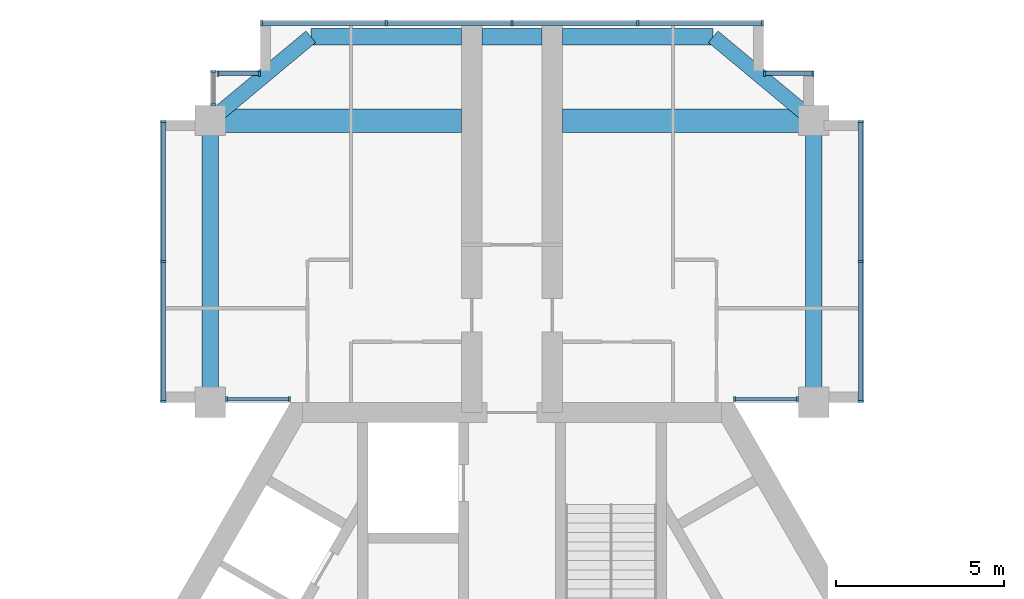
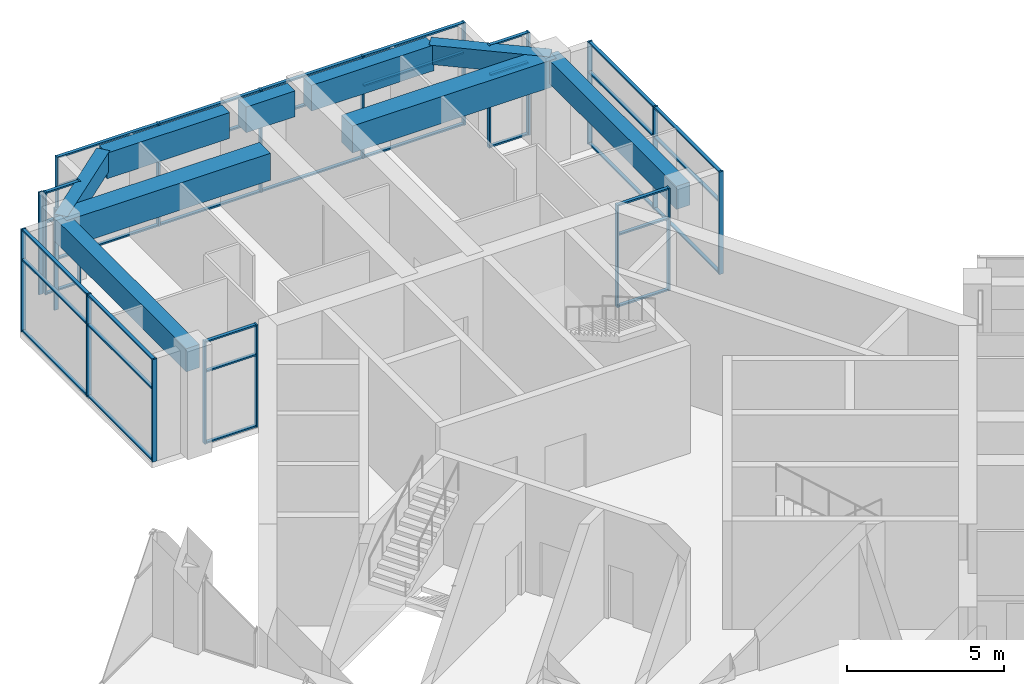
# One storey, part 6 of 13: 57 members, 9 beams, 8 elements without a shape of their own.
"""IFC4 building model written with IfcOpenShell, lengths in metres."""

from ifc_helpers import new_model, si_unit, direction, frame, origin, origin_2d, place, context, subcontext, project, spatial, rectangle, extrude, material, material_profile, profile_set, type_object, element, aggregate, save


model = new_model("IFC4")

# Units and contexts
model_context = context("Model", 3, precision=1e-05, world=origin(), true_north=direction((0.0, 1.0)))
body_context = subcontext(model_context, "Body", "Model", "MODEL_VIEW")
ifc_project = project(units=[si_unit("LENGTHUNIT", "METRE"), si_unit("AREAUNIT", "SQUARE_METRE"), si_unit("VOLUMEUNIT", "CUBIC_METRE"), si_unit("PLANEANGLEUNIT", "RADIAN"), si_unit("MASSUNIT", "GRAM", prefix="KILO")], contexts=[model_context])

# Site, building, storey
site_placement = place(None, origin())
site = spatial("IfcSite", under=ifc_project, at=site_placement, CompositionType="ELEMENT")
building_placement = place(site_placement, origin())
building = spatial("IfcBuilding", under=site, at=building_placement, Name="Impinga Residences", CompositionType="ELEMENT")
storey_placement = place(building_placement, frame((0.0, 0.0, 287.35009765625)))
storey = spatial("IfcBuildingStorey", under=building, at=storey_placement, Name="L72", CompositionType="ELEMENT", Elevation=287.35009765625)

# Beams
ifc_material_1 = material(Name="Concrete C60/75", Category="concrete")
ifc_material_profile_1 = material_profile(ifc_material_1, rectangle(XDim=0.449951171875, YDim=0.75, at=origin_2d()), Name="RC 450x750")
ifc_profile_set_1 = profile_set([ifc_material_profile_1], Name="Concrete C60/75")
beam_type_1 = type_object("IfcBeamType", Name="CB1 450x750 wing end cantilever beam", PredefinedType="BEAM", material=ifc_profile_set_1)
for number, where, z_axis, x_axis, name in (
    (1, (-9.0, 19.83154296875, 3.60498046875), (0.768221279597, 0.640184399664, 0.0), (-0.640184399664, 0.768221279597, 0.0), "Beam CB1 NB N2-NX level L73"),
    (2, (9.0, 19.83154296875, 3.60498046875), (-0.768221279597, 0.640184399664, 0.0), (-0.640184399664, -0.768221279597, 0.0), "Beam CB1 NE N2-NX level L73"),
):
    element("IfcBeam", number, at=place(storey_placement, frame(where, z_axis=z_axis, x_axis=x_axis)), inside=storey, type_object=beam_type_1, Name=name, PredefinedType="BEAM", context=body_context, shape_type="SweptSolid", body=[
        extrude(rectangle(XDim=0.449951171875, YDim=0.75, at=origin_2d()), origin(), (0.0, 0.0, 1.0), 3.905029296875),
    ])
ifc_material_profile_2 = material_profile(ifc_material_1, rectangle(XDim=0.699951171875, YDim=1.050048828125, at=origin_2d()), Name="RC 700x1050")
ifc_profile_set_2 = profile_set([ifc_material_profile_2], Name="Concrete C60/75")
beam_type_2 = type_object("IfcBeamType", Name="CG1 700x1050 cross girder on a wing bay line", PredefinedType="BEAM", material=ifc_profile_set_2)
for number, where, z_axis, x_axis, name in (
    (3, (-1.5, 19.83154296875, 3.454833984375), (-1.0, 0.0, 0.0), (0.0, -1.0, 0.0), "Beam CG1 N2 NC/NA level L73"),
    (4, (1.5, 19.83154296875, 3.454833984375), (1.0, 0.0, 0.0), (0.0, 1.0, 0.0), "Beam CG1 N2 NC/NF level L73"),
):
    element("IfcBeam", number, at=place(storey_placement, frame(where, z_axis=z_axis, x_axis=x_axis)), inside=storey, type_object=beam_type_2, Name=name, PredefinedType="BEAM", context=body_context, shape_type="SweptSolid", body=[
        extrude(rectangle(XDim=0.699951171875, YDim=1.050048828125, at=origin_2d()), origin(), (0.0, 0.0, 1.0), 7.5),
    ])

# Curtain wall, members
ifc_material_2 = material(Name="Aluminium stick curtain wall", Category="aluminium")
curtain_wall_type = type_object("IfcCurtainWallType", Name="CW3 penthouse curtain wall", PredefinedType="USERDEFINED", material=ifc_material_2)
curtain_wall_1_placement = place(storey_placement, origin())
curtain_wall_1 = element("IfcCurtainWall", 5, at=curtain_wall_1_placement, inside=storey, type_object=curtain_wall_type, Name="Curtain wall CW3 L72", ObjectType="STICK CURTAIN WALL", PredefinedType="USERDEFINED")
ifc_material_3 = material(Name="Aluminium mullion", Category="aluminium")
ifc_material_profile_3 = material_profile(ifc_material_3, rectangle(XDim=0.06005859375, YDim=0.159912109375, at=origin_2d()), Name="60x160 mullion")
ifc_profile_set_3 = profile_set([ifc_material_profile_3], Name="Aluminium mullion")
member_type_1 = type_object("IfcMemberType", Name="CW3-M mullion 60x160", PredefinedType="MULLION", material=ifc_profile_set_3)
member_1_placement = place(storey_placement, frame((-6.6298828125, 11.531494140625, 0.0), z_axis=(0.0, 0.0, 1.0), x_axis=(-1.0, 0.0, 0.0)))
member_1 = element("IfcMember", 6, at=member_1_placement, type_object=member_type_1, Name="CW3 mullion 1", PredefinedType="MULLION", context=body_context, shape_type="SweptSolid", body=[
    extrude(rectangle(XDim=0.06005859375, YDim=0.159912109375, at=origin_2d()), origin(), (0.0, 0.0, 1.0), 3.97998046875),
])
member_2_placement = place(storey_placement, frame((-8.51708984375, 11.531494140625, 0.0), z_axis=(0.0, 0.0, 1.0), x_axis=(-1.0, 0.0, 0.0)))
member_2 = element("IfcMember", 7, at=member_2_placement, type_object=member_type_1, Name="CW3 mullion 2", PredefinedType="MULLION", context=body_context, shape_type="SweptSolid", body=[
    extrude(rectangle(XDim=0.06005859375, YDim=0.159912109375, at=origin_2d()), origin(), (0.0, 0.0, 1.0), 3.97998046875),
])

curtain_wall_2_placement = place(storey_placement, origin())
curtain_wall_2 = element("IfcCurtainWall", 8, at=curtain_wall_2_placement, inside=storey, type_object=curtain_wall_type, Name="Curtain wall CW3 L72", ObjectType="STICK CURTAIN WALL", PredefinedType="USERDEFINED")
member_3_placement = place(storey_placement, frame((-10.39990234375, 11.46142578125, 0.0), z_axis=(0.0, 0.0, 1.0), x_axis=(0.0, 1.0, 0.0)))
member_3 = element("IfcMember", 9, at=member_3_placement, type_object=member_type_1, Name="CW3 mullion 1", PredefinedType="MULLION", context=body_context, shape_type="SweptSolid", body=[
    extrude(rectangle(XDim=0.06005859375, YDim=0.159912109375, at=origin_2d()), origin(), (0.0, 0.0, 1.0), 3.97998046875),
])
member_4_placement = place(storey_placement, frame((-10.39990234375, 15.631591796875, 0.0), z_axis=(0.0, 0.0, 1.0), x_axis=(0.0, 1.0, 0.0)))
member_4 = element("IfcMember", 10, at=member_4_placement, type_object=member_type_1, Name="CW3 mullion 2", PredefinedType="MULLION", context=body_context, shape_type="SweptSolid", body=[
    extrude(rectangle(XDim=0.06005859375, YDim=0.159912109375, at=origin_2d()), origin(), (0.0, 0.0, 1.0), 3.97998046875),
])
member_5_placement = place(storey_placement, frame((-10.39990234375, 19.801513671875, 0.0), z_axis=(0.0, 0.0, 1.0), x_axis=(0.0, 1.0, 0.0)))
member_5 = element("IfcMember", 11, at=member_5_placement, type_object=member_type_1, Name="CW3 mullion 3", PredefinedType="MULLION", context=body_context, shape_type="SweptSolid", body=[
    extrude(rectangle(XDim=0.06005859375, YDim=0.159912109375, at=origin_2d()), origin(), (0.0, 0.0, 1.0), 3.97998046875),
])

curtain_wall_3_placement = place(storey_placement, origin())
curtain_wall_3 = element("IfcCurtainWall", 12, at=curtain_wall_3_placement, inside=storey, type_object=curtain_wall_type, Name="Curtain wall CW3 L72", ObjectType="STICK CURTAIN WALL", PredefinedType="USERDEFINED")
member_6_placement = place(storey_placement, frame((-8.89990234375, 20.314453125, 0.0), z_axis=(0.0, 0.0, 1.0), x_axis=(0.0, 1.0, 0.0)))
member_6 = element("IfcMember", 13, at=member_6_placement, type_object=member_type_1, Name="CW3 mullion 1", PredefinedType="MULLION", context=body_context, shape_type="SweptSolid", body=[
    extrude(rectangle(XDim=0.06005859375, YDim=0.159912109375, at=origin_2d()), origin(), (0.0, 0.0, 1.0), 3.97998046875),
])
member_7_placement = place(storey_placement, frame((-8.89990234375, 21.301513671875, 0.0), z_axis=(0.0, 0.0, 1.0), x_axis=(0.0, 1.0, 0.0)))
member_7 = element("IfcMember", 14, at=member_7_placement, type_object=member_type_1, Name="CW3 mullion 2", PredefinedType="MULLION", context=body_context, shape_type="SweptSolid", body=[
    extrude(rectangle(XDim=0.06005859375, YDim=0.159912109375, at=origin_2d()), origin(), (0.0, 0.0, 1.0), 3.97998046875),
])
aggregate(curtain_wall_3, [member_6, member_7])

curtain_wall_4_placement = place(storey_placement, origin())
curtain_wall_4 = element("IfcCurtainWall", 15, at=curtain_wall_4_placement, inside=storey, type_object=curtain_wall_type, Name="Curtain wall CW3 L72", ObjectType="STICK CURTAIN WALL", PredefinedType="USERDEFINED")
member_8_placement = place(storey_placement, frame((-8.77001953125, 21.2314453125, 0.0), z_axis=(0.0, 0.0, 1.0), x_axis=(1.0, 0.0, 0.0)))
member_8 = element("IfcMember", 16, at=member_8_placement, type_object=member_type_1, Name="CW3 mullion 1", PredefinedType="MULLION", context=body_context, shape_type="SweptSolid", body=[
    extrude(rectangle(XDim=0.06005859375, YDim=0.159912109375, at=origin_2d()), origin(), (0.0, 0.0, 1.0), 3.97998046875),
])
member_9_placement = place(storey_placement, frame((-7.530029296875, 21.2314453125, 0.0), z_axis=(0.0, 0.0, 1.0), x_axis=(1.0, 0.0, 0.0)))
member_9 = element("IfcMember", 17, at=member_9_placement, type_object=member_type_1, Name="CW3 mullion 2", PredefinedType="MULLION", context=body_context, shape_type="SweptSolid", body=[
    extrude(rectangle(XDim=0.06005859375, YDim=0.159912109375, at=origin_2d()), origin(), (0.0, 0.0, 1.0), 3.97998046875),
])

curtain_wall_5_placement = place(storey_placement, origin())
curtain_wall_5 = element("IfcCurtainWall", 18, at=curtain_wall_5_placement, inside=storey, type_object=curtain_wall_type, Name="Curtain wall CW3 L72", ObjectType="STICK CURTAIN WALL", PredefinedType="USERDEFINED")
member_10_placement = place(storey_placement, frame((-7.469970703125, 22.7314453125, 0.0), z_axis=(0.0, 0.0, 1.0), x_axis=(1.0, 0.0, 0.0)))
member_10 = element("IfcMember", 19, at=member_10_placement, type_object=member_type_1, Name="CW3 mullion 1", PredefinedType="MULLION", context=body_context, shape_type="SweptSolid", body=[
    extrude(rectangle(XDim=0.06005859375, YDim=0.159912109375, at=origin_2d()), origin(), (0.0, 0.0, 1.0), 3.97998046875),
])
member_11_placement = place(storey_placement, frame((-3.75, 22.7314453125, 0.0), z_axis=(0.0, 0.0, 1.0), x_axis=(1.0, 0.0, 0.0)))
member_11 = element("IfcMember", 20, at=member_11_placement, type_object=member_type_1, Name="CW3 mullion 2", PredefinedType="MULLION", context=body_context, shape_type="SweptSolid", body=[
    extrude(rectangle(XDim=0.06005859375, YDim=0.159912109375, at=origin_2d()), origin(), (0.0, 0.0, 1.0), 3.97998046875),
])
member_12_placement = place(storey_placement, frame((0.0, 22.7314453125, 0.0), z_axis=(0.0, 0.0, 1.0), x_axis=(1.0, 0.0, 0.0)))
member_12 = element("IfcMember", 21, at=member_12_placement, type_object=member_type_1, Name="CW3 mullion 3", PredefinedType="MULLION", context=body_context, shape_type="SweptSolid", body=[
    extrude(rectangle(XDim=0.06005859375, YDim=0.159912109375, at=origin_2d()), origin(), (0.0, 0.0, 1.0), 3.97998046875),
])
member_13_placement = place(storey_placement, frame((3.75, 22.7314453125, 0.0), z_axis=(0.0, 0.0, 1.0), x_axis=(1.0, 0.0, 0.0)))
member_13 = element("IfcMember", 22, at=member_13_placement, type_object=member_type_1, Name="CW3 mullion 4", PredefinedType="MULLION", context=body_context, shape_type="SweptSolid", body=[
    extrude(rectangle(XDim=0.06005859375, YDim=0.159912109375, at=origin_2d()), origin(), (0.0, 0.0, 1.0), 3.97998046875),
])
member_14_placement = place(storey_placement, frame((7.469970703125, 22.7314453125, 0.0), z_axis=(0.0, 0.0, 1.0), x_axis=(1.0, 0.0, 0.0)))
member_14 = element("IfcMember", 23, at=member_14_placement, type_object=member_type_1, Name="CW3 mullion 5", PredefinedType="MULLION", context=body_context, shape_type="SweptSolid", body=[
    extrude(rectangle(XDim=0.06005859375, YDim=0.159912109375, at=origin_2d()), origin(), (0.0, 0.0, 1.0), 3.97998046875),
])

curtain_wall_6_placement = place(storey_placement, origin())
curtain_wall_6 = element("IfcCurtainWall", 24, at=curtain_wall_6_placement, inside=storey, type_object=curtain_wall_type, Name="Curtain wall CW3 L72", ObjectType="STICK CURTAIN WALL", PredefinedType="USERDEFINED")
member_15_placement = place(storey_placement, frame((7.530029296875, 21.2314453125, 0.0), z_axis=(0.0, 0.0, 1.0), x_axis=(1.0, 0.0, 0.0)))
member_15 = element("IfcMember", 25, at=member_15_placement, type_object=member_type_1, Name="CW3 mullion 1", PredefinedType="MULLION", context=body_context, shape_type="SweptSolid", body=[
    extrude(rectangle(XDim=0.06005859375, YDim=0.159912109375, at=origin_2d()), origin(), (0.0, 0.0, 1.0), 3.97998046875),
])
member_16_placement = place(storey_placement, frame((8.969970703125, 21.2314453125, 0.0), z_axis=(0.0, 0.0, 1.0), x_axis=(1.0, 0.0, 0.0)))
member_16 = element("IfcMember", 26, at=member_16_placement, type_object=member_type_1, Name="CW3 mullion 2", PredefinedType="MULLION", context=body_context, shape_type="SweptSolid", body=[
    extrude(rectangle(XDim=0.06005859375, YDim=0.159912109375, at=origin_2d()), origin(), (0.0, 0.0, 1.0), 3.97998046875),
])

curtain_wall_7_placement = place(storey_placement, origin())
curtain_wall_7 = element("IfcCurtainWall", 27, at=curtain_wall_7_placement, inside=storey, type_object=curtain_wall_type, Name="Curtain wall CW3 L72", ObjectType="STICK CURTAIN WALL", PredefinedType="USERDEFINED")
member_17_placement = place(storey_placement, frame((10.39990234375, 19.801513671875, 0.0), z_axis=(0.0, 0.0, 1.0), x_axis=(0.0, -1.0, 0.0)))
member_17 = element("IfcMember", 28, at=member_17_placement, type_object=member_type_1, Name="CW3 mullion 1", PredefinedType="MULLION", context=body_context, shape_type="SweptSolid", body=[
    extrude(rectangle(XDim=0.06005859375, YDim=0.159912109375, at=origin_2d()), origin(), (0.0, 0.0, 1.0), 3.97998046875),
])
member_18_placement = place(storey_placement, frame((10.39990234375, 15.631591796875, 0.0), z_axis=(0.0, 0.0, 1.0), x_axis=(0.0, -1.0, 0.0)))
member_18 = element("IfcMember", 29, at=member_18_placement, type_object=member_type_1, Name="CW3 mullion 2", PredefinedType="MULLION", context=body_context, shape_type="SweptSolid", body=[
    extrude(rectangle(XDim=0.06005859375, YDim=0.159912109375, at=origin_2d()), origin(), (0.0, 0.0, 1.0), 3.97998046875),
])
member_19_placement = place(storey_placement, frame((10.39990234375, 11.46142578125, 0.0), z_axis=(0.0, 0.0, 1.0), x_axis=(0.0, -1.0, 0.0)))
member_19 = element("IfcMember", 30, at=member_19_placement, type_object=member_type_1, Name="CW3 mullion 3", PredefinedType="MULLION", context=body_context, shape_type="SweptSolid", body=[
    extrude(rectangle(XDim=0.06005859375, YDim=0.159912109375, at=origin_2d()), origin(), (0.0, 0.0, 1.0), 3.97998046875),
])

curtain_wall_8_placement = place(storey_placement, origin())
curtain_wall_8 = element("IfcCurtainWall", 31, at=curtain_wall_8_placement, inside=storey, type_object=curtain_wall_type, Name="Curtain wall CW3 L72", ObjectType="STICK CURTAIN WALL", PredefinedType="USERDEFINED")
member_20_placement = place(storey_placement, frame((8.51708984375, 11.531494140625, 0.0), z_axis=(0.0, 0.0, 1.0), x_axis=(-1.0, 0.0, 0.0)))
member_20 = element("IfcMember", 32, at=member_20_placement, type_object=member_type_1, Name="CW3 mullion 1", PredefinedType="MULLION", context=body_context, shape_type="SweptSolid", body=[
    extrude(rectangle(XDim=0.06005859375, YDim=0.159912109375, at=origin_2d()), origin(), (0.0, 0.0, 1.0), 3.97998046875),
])
member_21_placement = place(storey_placement, frame((6.6298828125, 11.531494140625, 0.0), z_axis=(0.0, 0.0, 1.0), x_axis=(-1.0, 0.0, 0.0)))
member_21 = element("IfcMember", 33, at=member_21_placement, type_object=member_type_1, Name="CW3 mullion 2", PredefinedType="MULLION", context=body_context, shape_type="SweptSolid", body=[
    extrude(rectangle(XDim=0.06005859375, YDim=0.159912109375, at=origin_2d()), origin(), (0.0, 0.0, 1.0), 3.97998046875),
])

# Member
ifc_material_4 = material(Name="Aluminium transom", Category="aluminium")
ifc_material_profile_4 = material_profile(ifc_material_4, rectangle(XDim=0.06005859375, YDim=0.1201171875, at=origin_2d()), Name="60x120 transom")
ifc_profile_set_4 = profile_set([ifc_material_profile_4], Name="Aluminium transom")
member_type_2 = type_object("IfcMemberType", Name="CW3-T transom 60x120", PredefinedType="USERDEFINED", material=ifc_profile_set_4)
member_22_placement = place(storey_placement, frame((-6.659912109375, 11.531494140625, 0.02978515625), z_axis=(-1.0, 0.0, 0.0), x_axis=(0.0, 0.0, 1.0)))
member_22 = element("IfcMember", 34, at=member_22_placement, type_object=member_type_2, Name="CW3 transom 1.1", ObjectType="TRANSOM", PredefinedType="USERDEFINED", context=body_context, shape_type="SweptSolid", body=[
    extrude(rectangle(XDim=0.06005859375, YDim=0.1201171875, at=origin_2d()), origin(), (0.0, 0.0, 1.0), 1.8271484375),
])

member_23_placement = place(storey_placement, frame((-6.659912109375, 11.531494140625, 2.7998046875), z_axis=(-1.0, 0.0, 0.0), x_axis=(0.0, 0.0, 1.0)))
member_23 = element("IfcMember", 35, at=member_23_placement, type_object=member_type_2, Name="CW3 transom 1.2", ObjectType="TRANSOM", PredefinedType="USERDEFINED", context=body_context, shape_type="SweptSolid", body=[
    extrude(rectangle(XDim=0.06005859375, YDim=0.1201171875, at=origin_2d()), origin(), (0.0, 0.0, 1.0), 1.8271484375),
])

member_24_placement = place(storey_placement, frame((-6.659912109375, 11.531494140625, 3.949951171875), z_axis=(-1.0, 0.0, 0.0), x_axis=(0.0, 0.0, 1.0)))
member_24 = element("IfcMember", 36, at=member_24_placement, type_object=member_type_2, Name="CW3 transom 1.3", ObjectType="TRANSOM", PredefinedType="USERDEFINED", context=body_context, shape_type="SweptSolid", body=[
    extrude(rectangle(XDim=0.06005859375, YDim=0.1201171875, at=origin_2d()), origin(), (0.0, 0.0, 1.0), 1.8271484375),
])

aggregate(curtain_wall_1, [member_1, member_2, member_22, member_23, member_24])

member_25_placement = place(storey_placement, frame((-10.39990234375, 11.491455078125, 0.02978515625), z_axis=(0.0, 1.0, 0.0), x_axis=(0.0, 0.0, 1.0)))
member_25 = element("IfcMember", 37, at=member_25_placement, type_object=member_type_2, Name="CW3 transom 1.1", ObjectType="TRANSOM", PredefinedType="USERDEFINED", context=body_context, shape_type="SweptSolid", body=[
    extrude(rectangle(XDim=0.06005859375, YDim=0.1201171875, at=origin_2d()), origin(), (0.0, 0.0, 1.0), 4.110107421875),
])

member_26_placement = place(storey_placement, frame((-10.39990234375, 11.491455078125, 2.7998046875), z_axis=(0.0, 1.0, 0.0), x_axis=(0.0, 0.0, 1.0)))
member_26 = element("IfcMember", 38, at=member_26_placement, type_object=member_type_2, Name="CW3 transom 1.2", ObjectType="TRANSOM", PredefinedType="USERDEFINED", context=body_context, shape_type="SweptSolid", body=[
    extrude(rectangle(XDim=0.06005859375, YDim=0.1201171875, at=origin_2d()), origin(), (0.0, 0.0, 1.0), 4.110107421875),
])

member_27_placement = place(storey_placement, frame((-10.39990234375, 11.491455078125, 3.949951171875), z_axis=(0.0, 1.0, 0.0), x_axis=(0.0, 0.0, 1.0)))
member_27 = element("IfcMember", 39, at=member_27_placement, type_object=member_type_2, Name="CW3 transom 1.3", ObjectType="TRANSOM", PredefinedType="USERDEFINED", context=body_context, shape_type="SweptSolid", body=[
    extrude(rectangle(XDim=0.06005859375, YDim=0.1201171875, at=origin_2d()), origin(), (0.0, 0.0, 1.0), 4.110107421875),
])

member_28_placement = place(storey_placement, frame((-10.39990234375, 15.66162109375, 0.02978515625), z_axis=(0.0, 1.0, 0.0), x_axis=(0.0, 0.0, 1.0)))
member_28 = element("IfcMember", 40, at=member_28_placement, type_object=member_type_2, Name="CW3 transom 2.1", ObjectType="TRANSOM", PredefinedType="USERDEFINED", context=body_context, shape_type="SweptSolid", body=[
    extrude(rectangle(XDim=0.06005859375, YDim=0.1201171875, at=origin_2d()), origin(), (0.0, 0.0, 1.0), 4.10986328125),
])

member_29_placement = place(storey_placement, frame((-10.39990234375, 15.66162109375, 2.7998046875), z_axis=(0.0, 1.0, 0.0), x_axis=(0.0, 0.0, 1.0)))
member_29 = element("IfcMember", 41, at=member_29_placement, type_object=member_type_2, Name="CW3 transom 2.2", ObjectType="TRANSOM", PredefinedType="USERDEFINED", context=body_context, shape_type="SweptSolid", body=[
    extrude(rectangle(XDim=0.06005859375, YDim=0.1201171875, at=origin_2d()), origin(), (0.0, 0.0, 1.0), 4.10986328125),
])

member_30_placement = place(storey_placement, frame((-10.39990234375, 15.66162109375, 3.949951171875), z_axis=(0.0, 1.0, 0.0), x_axis=(0.0, 0.0, 1.0)))
member_30 = element("IfcMember", 42, at=member_30_placement, type_object=member_type_2, Name="CW3 transom 2.3", ObjectType="TRANSOM", PredefinedType="USERDEFINED", context=body_context, shape_type="SweptSolid", body=[
    extrude(rectangle(XDim=0.06005859375, YDim=0.1201171875, at=origin_2d()), origin(), (0.0, 0.0, 1.0), 4.10986328125),
])

aggregate(curtain_wall_2, [member_3, member_4, member_5, member_25, member_26, member_27, member_28, member_29, member_30])

member_31_placement = place(storey_placement, frame((-8.739990234375, 21.2314453125, 0.02978515625), z_axis=(1.0, 0.0, 0.0), x_axis=(0.0, 0.0, 1.0)))
member_31 = element("IfcMember", 43, at=member_31_placement, type_object=member_type_2, Name="CW3 transom 1.1", ObjectType="TRANSOM", PredefinedType="USERDEFINED", context=body_context, shape_type="SweptSolid", body=[
    extrude(rectangle(XDim=0.06005859375, YDim=0.1201171875, at=origin_2d()), origin(), (0.0, 0.0, 1.0), 1.179931640625),
])

member_32_placement = place(storey_placement, frame((-8.739990234375, 21.2314453125, 2.7998046875), z_axis=(1.0, 0.0, 0.0), x_axis=(0.0, 0.0, 1.0)))
member_32 = element("IfcMember", 44, at=member_32_placement, type_object=member_type_2, Name="CW3 transom 1.2", ObjectType="TRANSOM", PredefinedType="USERDEFINED", context=body_context, shape_type="SweptSolid", body=[
    extrude(rectangle(XDim=0.06005859375, YDim=0.1201171875, at=origin_2d()), origin(), (0.0, 0.0, 1.0), 1.179931640625),
])

member_33_placement = place(storey_placement, frame((-8.739990234375, 21.2314453125, 3.949951171875), z_axis=(1.0, 0.0, 0.0), x_axis=(0.0, 0.0, 1.0)))
member_33 = element("IfcMember", 45, at=member_33_placement, type_object=member_type_2, Name="CW3 transom 1.3", ObjectType="TRANSOM", PredefinedType="USERDEFINED", context=body_context, shape_type="SweptSolid", body=[
    extrude(rectangle(XDim=0.06005859375, YDim=0.1201171875, at=origin_2d()), origin(), (0.0, 0.0, 1.0), 1.179931640625),
])

aggregate(curtain_wall_4, [member_8, member_9, member_31, member_32, member_33])

member_34_placement = place(storey_placement, frame((-7.43994140625, 22.7314453125, 0.02978515625), z_axis=(1.0, 0.0, 0.0), x_axis=(0.0, 0.0, 1.0)))
member_34 = element("IfcMember", 46, at=member_34_placement, type_object=member_type_2, Name="CW3 transom 1.1", ObjectType="TRANSOM", PredefinedType="USERDEFINED", context=body_context, shape_type="SweptSolid", body=[
    extrude(rectangle(XDim=0.06005859375, YDim=0.1201171875, at=origin_2d()), origin(), (0.0, 0.0, 1.0), 3.659912109375),
])

member_35_placement = place(storey_placement, frame((-7.43994140625, 22.7314453125, 2.7998046875), z_axis=(1.0, 0.0, 0.0), x_axis=(0.0, 0.0, 1.0)))
member_35 = element("IfcMember", 47, at=member_35_placement, type_object=member_type_2, Name="CW3 transom 1.2", ObjectType="TRANSOM", PredefinedType="USERDEFINED", context=body_context, shape_type="SweptSolid", body=[
    extrude(rectangle(XDim=0.06005859375, YDim=0.1201171875, at=origin_2d()), origin(), (0.0, 0.0, 1.0), 3.659912109375),
])

member_36_placement = place(storey_placement, frame((-7.43994140625, 22.7314453125, 3.949951171875), z_axis=(1.0, 0.0, 0.0), x_axis=(0.0, 0.0, 1.0)))
member_36 = element("IfcMember", 48, at=member_36_placement, type_object=member_type_2, Name="CW3 transom 1.3", ObjectType="TRANSOM", PredefinedType="USERDEFINED", context=body_context, shape_type="SweptSolid", body=[
    extrude(rectangle(XDim=0.06005859375, YDim=0.1201171875, at=origin_2d()), origin(), (0.0, 0.0, 1.0), 3.659912109375),
])

member_37_placement = place(storey_placement, frame((-3.719970703125, 22.7314453125, 0.02978515625), z_axis=(1.0, 0.0, 0.0), x_axis=(0.0, 0.0, 1.0)))
member_37 = element("IfcMember", 49, at=member_37_placement, type_object=member_type_2, Name="CW3 transom 2.1", ObjectType="TRANSOM", PredefinedType="USERDEFINED", context=body_context, shape_type="SweptSolid", body=[
    extrude(rectangle(XDim=0.06005859375, YDim=0.1201171875, at=origin_2d()), origin(), (0.0, 0.0, 1.0), 3.68994140625),
])

member_38_placement = place(storey_placement, frame((-3.719970703125, 22.7314453125, 2.7998046875), z_axis=(1.0, 0.0, 0.0), x_axis=(0.0, 0.0, 1.0)))
member_38 = element("IfcMember", 50, at=member_38_placement, type_object=member_type_2, Name="CW3 transom 2.2", ObjectType="TRANSOM", PredefinedType="USERDEFINED", context=body_context, shape_type="SweptSolid", body=[
    extrude(rectangle(XDim=0.06005859375, YDim=0.1201171875, at=origin_2d()), origin(), (0.0, 0.0, 1.0), 3.68994140625),
])

member_39_placement = place(storey_placement, frame((-3.719970703125, 22.7314453125, 3.949951171875), z_axis=(1.0, 0.0, 0.0), x_axis=(0.0, 0.0, 1.0)))
member_39 = element("IfcMember", 51, at=member_39_placement, type_object=member_type_2, Name="CW3 transom 2.3", ObjectType="TRANSOM", PredefinedType="USERDEFINED", context=body_context, shape_type="SweptSolid", body=[
    extrude(rectangle(XDim=0.06005859375, YDim=0.1201171875, at=origin_2d()), origin(), (0.0, 0.0, 1.0), 3.68994140625),
])

member_40_placement = place(storey_placement, frame((0.030029296875, 22.7314453125, 0.02978515625), z_axis=(1.0, 0.0, 0.0), x_axis=(0.0, 0.0, 1.0)))
member_40 = element("IfcMember", 52, at=member_40_placement, type_object=member_type_2, Name="CW3 transom 3.1", ObjectType="TRANSOM", PredefinedType="USERDEFINED", context=body_context, shape_type="SweptSolid", body=[
    extrude(rectangle(XDim=0.06005859375, YDim=0.1201171875, at=origin_2d()), origin(), (0.0, 0.0, 1.0), 3.68994140625),
])

member_41_placement = place(storey_placement, frame((0.030029296875, 22.7314453125, 2.7998046875), z_axis=(1.0, 0.0, 0.0), x_axis=(0.0, 0.0, 1.0)))
member_41 = element("IfcMember", 53, at=member_41_placement, type_object=member_type_2, Name="CW3 transom 3.2", ObjectType="TRANSOM", PredefinedType="USERDEFINED", context=body_context, shape_type="SweptSolid", body=[
    extrude(rectangle(XDim=0.06005859375, YDim=0.1201171875, at=origin_2d()), origin(), (0.0, 0.0, 1.0), 3.68994140625),
])

member_42_placement = place(storey_placement, frame((0.030029296875, 22.7314453125, 3.949951171875), z_axis=(1.0, 0.0, 0.0), x_axis=(0.0, 0.0, 1.0)))
member_42 = element("IfcMember", 54, at=member_42_placement, type_object=member_type_2, Name="CW3 transom 3.3", ObjectType="TRANSOM", PredefinedType="USERDEFINED", context=body_context, shape_type="SweptSolid", body=[
    extrude(rectangle(XDim=0.06005859375, YDim=0.1201171875, at=origin_2d()), origin(), (0.0, 0.0, 1.0), 3.68994140625),
])

member_43_placement = place(storey_placement, frame((3.780029296875, 22.7314453125, 0.02978515625), z_axis=(1.0, 0.0, 0.0), x_axis=(0.0, 0.0, 1.0)))
member_43 = element("IfcMember", 55, at=member_43_placement, type_object=member_type_2, Name="CW3 transom 4.1", ObjectType="TRANSOM", PredefinedType="USERDEFINED", context=body_context, shape_type="SweptSolid", body=[
    extrude(rectangle(XDim=0.06005859375, YDim=0.1201171875, at=origin_2d()), origin(), (0.0, 0.0, 1.0), 3.659912109375),
])

member_44_placement = place(storey_placement, frame((3.780029296875, 22.7314453125, 2.7998046875), z_axis=(1.0, 0.0, 0.0), x_axis=(0.0, 0.0, 1.0)))
member_44 = element("IfcMember", 56, at=member_44_placement, type_object=member_type_2, Name="CW3 transom 4.2", ObjectType="TRANSOM", PredefinedType="USERDEFINED", context=body_context, shape_type="SweptSolid", body=[
    extrude(rectangle(XDim=0.06005859375, YDim=0.1201171875, at=origin_2d()), origin(), (0.0, 0.0, 1.0), 3.659912109375),
])

member_45_placement = place(storey_placement, frame((3.780029296875, 22.7314453125, 3.949951171875), z_axis=(1.0, 0.0, 0.0), x_axis=(0.0, 0.0, 1.0)))
member_45 = element("IfcMember", 57, at=member_45_placement, type_object=member_type_2, Name="CW3 transom 4.3", ObjectType="TRANSOM", PredefinedType="USERDEFINED", context=body_context, shape_type="SweptSolid", body=[
    extrude(rectangle(XDim=0.06005859375, YDim=0.1201171875, at=origin_2d()), origin(), (0.0, 0.0, 1.0), 3.659912109375),
])

aggregate(curtain_wall_5, [member_10, member_11, member_12, member_13, member_14, member_34, member_35, member_36, member_37, member_38, member_39, member_40, member_41, member_42, member_43, member_44, member_45])

member_46_placement = place(storey_placement, frame((7.56005859375, 21.2314453125, 0.02978515625), z_axis=(1.0, 0.0, 0.0), x_axis=(0.0, 0.0, 1.0)))
member_46 = element("IfcMember", 58, at=member_46_placement, type_object=member_type_2, Name="CW3 transom 1.1", ObjectType="TRANSOM", PredefinedType="USERDEFINED", context=body_context, shape_type="SweptSolid", body=[
    extrude(rectangle(XDim=0.06005859375, YDim=0.1201171875, at=origin_2d()), origin(), (0.0, 0.0, 1.0), 1.3798828125),
])

member_47_placement = place(storey_placement, frame((7.56005859375, 21.2314453125, 2.7998046875), z_axis=(1.0, 0.0, 0.0), x_axis=(0.0, 0.0, 1.0)))
member_47 = element("IfcMember", 59, at=member_47_placement, type_object=member_type_2, Name="CW3 transom 1.2", ObjectType="TRANSOM", PredefinedType="USERDEFINED", context=body_context, shape_type="SweptSolid", body=[
    extrude(rectangle(XDim=0.06005859375, YDim=0.1201171875, at=origin_2d()), origin(), (0.0, 0.0, 1.0), 1.3798828125),
])

member_48_placement = place(storey_placement, frame((7.56005859375, 21.2314453125, 3.949951171875), z_axis=(1.0, 0.0, 0.0), x_axis=(0.0, 0.0, 1.0)))
member_48 = element("IfcMember", 60, at=member_48_placement, type_object=member_type_2, Name="CW3 transom 1.3", ObjectType="TRANSOM", PredefinedType="USERDEFINED", context=body_context, shape_type="SweptSolid", body=[
    extrude(rectangle(XDim=0.06005859375, YDim=0.1201171875, at=origin_2d()), origin(), (0.0, 0.0, 1.0), 1.3798828125),
])

aggregate(curtain_wall_6, [member_15, member_16, member_46, member_47, member_48])

member_49_placement = place(storey_placement, frame((10.39990234375, 19.771484375, 0.02978515625), z_axis=(0.0, -1.0, 0.0), x_axis=(0.0, 0.0, 1.0)))
member_49 = element("IfcMember", 61, at=member_49_placement, type_object=member_type_2, Name="CW3 transom 1.1", ObjectType="TRANSOM", PredefinedType="USERDEFINED", context=body_context, shape_type="SweptSolid", body=[
    extrude(rectangle(XDim=0.06005859375, YDim=0.1201171875, at=origin_2d()), origin(), (0.0, 0.0, 1.0), 4.10986328125),
])

member_50_placement = place(storey_placement, frame((10.39990234375, 19.771484375, 2.7998046875), z_axis=(0.0, -1.0, 0.0), x_axis=(0.0, 0.0, 1.0)))
member_50 = element("IfcMember", 62, at=member_50_placement, type_object=member_type_2, Name="CW3 transom 1.2", ObjectType="TRANSOM", PredefinedType="USERDEFINED", context=body_context, shape_type="SweptSolid", body=[
    extrude(rectangle(XDim=0.06005859375, YDim=0.1201171875, at=origin_2d()), origin(), (0.0, 0.0, 1.0), 4.10986328125),
])

member_51_placement = place(storey_placement, frame((10.39990234375, 19.771484375, 3.949951171875), z_axis=(0.0, -1.0, 0.0), x_axis=(0.0, 0.0, 1.0)))
member_51 = element("IfcMember", 63, at=member_51_placement, type_object=member_type_2, Name="CW3 transom 1.3", ObjectType="TRANSOM", PredefinedType="USERDEFINED", context=body_context, shape_type="SweptSolid", body=[
    extrude(rectangle(XDim=0.06005859375, YDim=0.1201171875, at=origin_2d()), origin(), (0.0, 0.0, 1.0), 4.10986328125),
])

member_52_placement = place(storey_placement, frame((10.39990234375, 15.6015625, 0.02978515625), z_axis=(0.0, -1.0, 0.0), x_axis=(0.0, 0.0, 1.0)))
member_52 = element("IfcMember", 64, at=member_52_placement, type_object=member_type_2, Name="CW3 transom 2.1", ObjectType="TRANSOM", PredefinedType="USERDEFINED", context=body_context, shape_type="SweptSolid", body=[
    extrude(rectangle(XDim=0.06005859375, YDim=0.1201171875, at=origin_2d()), origin(), (0.0, 0.0, 1.0), 4.110107421875),
])

member_53_placement = place(storey_placement, frame((10.39990234375, 15.6015625, 2.7998046875), z_axis=(0.0, -1.0, 0.0), x_axis=(0.0, 0.0, 1.0)))
member_53 = element("IfcMember", 65, at=member_53_placement, type_object=member_type_2, Name="CW3 transom 2.2", ObjectType="TRANSOM", PredefinedType="USERDEFINED", context=body_context, shape_type="SweptSolid", body=[
    extrude(rectangle(XDim=0.06005859375, YDim=0.1201171875, at=origin_2d()), origin(), (0.0, 0.0, 1.0), 4.110107421875),
])

member_54_placement = place(storey_placement, frame((10.39990234375, 15.6015625, 3.949951171875), z_axis=(0.0, -1.0, 0.0), x_axis=(0.0, 0.0, 1.0)))
member_54 = element("IfcMember", 66, at=member_54_placement, type_object=member_type_2, Name="CW3 transom 2.3", ObjectType="TRANSOM", PredefinedType="USERDEFINED", context=body_context, shape_type="SweptSolid", body=[
    extrude(rectangle(XDim=0.06005859375, YDim=0.1201171875, at=origin_2d()), origin(), (0.0, 0.0, 1.0), 4.110107421875),
])

aggregate(curtain_wall_7, [member_17, member_18, member_19, member_49, member_50, member_51, member_52, member_53, member_54])

member_55_placement = place(storey_placement, frame((8.487060546875, 11.531494140625, 0.02978515625), z_axis=(-1.0, 0.0, 0.0), x_axis=(0.0, 0.0, 1.0)))
member_55 = element("IfcMember", 67, at=member_55_placement, type_object=member_type_2, Name="CW3 transom 1.1", ObjectType="TRANSOM", PredefinedType="USERDEFINED", context=body_context, shape_type="SweptSolid", body=[
    extrude(rectangle(XDim=0.06005859375, YDim=0.1201171875, at=origin_2d()), origin(), (0.0, 0.0, 1.0), 1.8271484375),
])

member_56_placement = place(storey_placement, frame((8.487060546875, 11.531494140625, 2.7998046875), z_axis=(-1.0, 0.0, 0.0), x_axis=(0.0, 0.0, 1.0)))
member_56 = element("IfcMember", 68, at=member_56_placement, type_object=member_type_2, Name="CW3 transom 1.2", ObjectType="TRANSOM", PredefinedType="USERDEFINED", context=body_context, shape_type="SweptSolid", body=[
    extrude(rectangle(XDim=0.06005859375, YDim=0.1201171875, at=origin_2d()), origin(), (0.0, 0.0, 1.0), 1.8271484375),
])

member_57_placement = place(storey_placement, frame((8.487060546875, 11.531494140625, 3.949951171875), z_axis=(-1.0, 0.0, 0.0), x_axis=(0.0, 0.0, 1.0)))
member_57 = element("IfcMember", 69, at=member_57_placement, type_object=member_type_2, Name="CW3 transom 1.3", ObjectType="TRANSOM", PredefinedType="USERDEFINED", context=body_context, shape_type="SweptSolid", body=[
    extrude(rectangle(XDim=0.06005859375, YDim=0.1201171875, at=origin_2d()), origin(), (0.0, 0.0, 1.0), 1.8271484375),
])

aggregate(curtain_wall_8, [member_20, member_21, member_55, member_56, member_57])

# Beams
ifc_material_profile_5 = material_profile(ifc_material_1, rectangle(XDim=0.5, YDim=1.0, at=origin_2d()), Name="RC 500x1000")
ifc_profile_set_5 = profile_set([ifc_material_profile_5], Name="Concrete C60/75")
beam_type_3 = type_object("IfcBeamType", Name="EB1 500x1000 wing end beam", PredefinedType="BEAM", material=ifc_profile_set_5)
beam_1_placement = place(storey_placement, frame((-6.0, 22.33154296875, 3.47998046875), z_axis=(1.0, 0.0, 0.0), x_axis=(0.0, 1.0, 0.0)))
element("IfcBeam", 70, at=beam_1_placement, inside=storey, type_object=beam_type_3, Name="Beam EB1 NX1 level L73", PredefinedType="BEAM", context=body_context, shape_type="SweptSolid", body=[
    extrude(rectangle(XDim=0.5, YDim=1.0, at=origin_2d()), origin(), (0.0, 0.0, 1.0), 4.5),
])
beam_2_placement = place(storey_placement, frame((-0.89990234375, 22.33154296875, 3.47998046875), z_axis=(1.0, 0.0, 0.0), x_axis=(0.0, 1.0, 0.0)))
element("IfcBeam", 71, at=beam_2_placement, inside=storey, type_object=beam_type_3, Name="Beam EB1 NX1 level L73", PredefinedType="BEAM", context=body_context, shape_type="SweptSolid", body=[
    extrude(rectangle(XDim=0.5, YDim=1.0, at=origin_2d()), origin(), (0.0, 0.0, 1.0), 1.7998046875),
])
beam_3_placement = place(storey_placement, frame((1.5, 22.33154296875, 3.47998046875), z_axis=(1.0, 0.0, 0.0), x_axis=(0.0, 1.0, 0.0)))
element("IfcBeam", 72, at=beam_3_placement, inside=storey, type_object=beam_type_3, Name="Beam EB1 NX1 level L73", PredefinedType="BEAM", context=body_context, shape_type="SweptSolid", body=[
    extrude(rectangle(XDim=0.5, YDim=1.0, at=origin_2d()), origin(), (0.0, 0.0, 1.0), 4.5),
])
ifc_material_profile_6 = material_profile(ifc_material_1, rectangle(XDim=0.5, YDim=0.89990234375, at=origin_2d()), Name="RC 500x900")
ifc_profile_set_6 = profile_set([ifc_material_profile_6], Name="Concrete C60/75")
beam_type_4 = type_object("IfcBeamType", Name="SB1 500x900 perimeter spandrel beam", PredefinedType="SPANDREL", material=ifc_profile_set_6)
for number, where, z_axis, x_axis, name in (
    (73, (-9.0, 11.431640625, 3.52978515625), (0.0, 1.0, 0.0), (-1.0, 0.0, 0.0), "Beam SB1 NA N1-N2 level L73"),
    (74, (9.0, 11.431640625, 3.52978515625), (0.0, 1.0, 0.0), (-1.0, 0.0, 0.0), "Beam SB1 NF N1-N2 level L73"),
):
    element("IfcBeam", number, at=place(storey_placement, frame(where, z_axis=z_axis, x_axis=x_axis)), inside=storey, type_object=beam_type_4, Name=name, PredefinedType="SPANDREL", context=body_context, shape_type="SweptSolid", body=[
        extrude(rectangle(XDim=0.5, YDim=0.89990234375, at=origin_2d()), origin(), (0.0, 0.0, 1.0), 8.39990234375),
    ])

save(model, "model.ifc")
